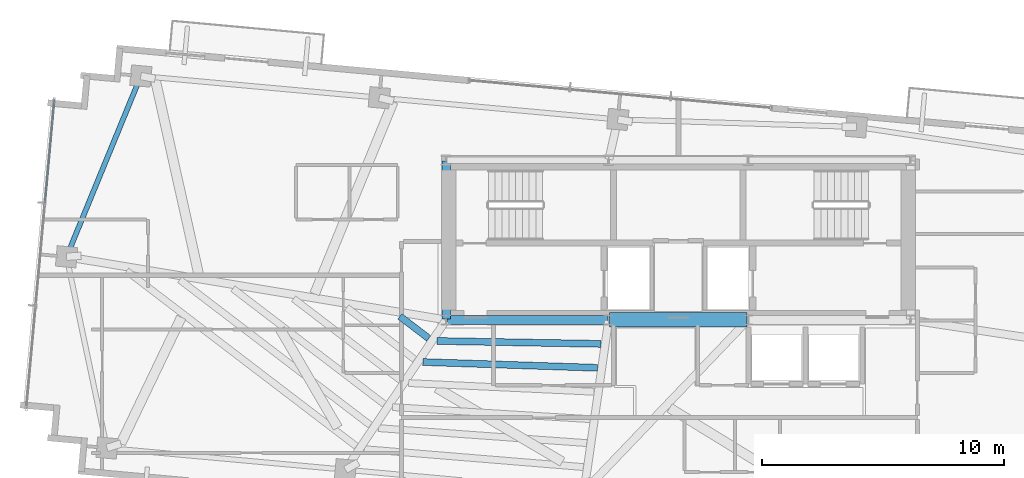
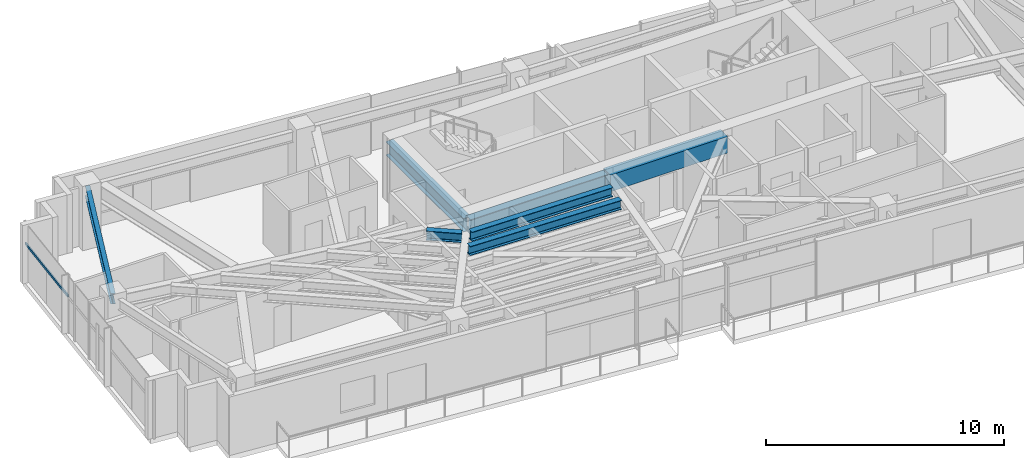
# One storey, part 8 of 22: 7 beams, 1 member, 1 element without a shape of its own.
"""IFC4 building model written with IfcOpenShell, lengths in metres."""

from ifc_helpers import new_model, si_unit, direction, frame, origin, origin_2d, place, context, subcontext, project, spatial, rectangle, hollow_rectangle, i_section, extrude, source, transform, mapped, material, material_profile, profile_set, type_object, type_shapes, element, aggregate, save


model = new_model("IFC4")

# Units and contexts
model_context = context("Model", 3, precision=1e-05, world=origin(), true_north=direction((0.0, 1.0)))
body_context = subcontext(model_context, "Body", "Model", "MODEL_VIEW")
ifc_project = project(units=[si_unit("LENGTHUNIT", "METRE"), si_unit("AREAUNIT", "SQUARE_METRE"), si_unit("VOLUMEUNIT", "CUBIC_METRE"), si_unit("PLANEANGLEUNIT", "RADIAN"), si_unit("MASSUNIT", "GRAM", prefix="KILO")], contexts=[model_context])

# Site, building, storey
site_placement = place(None, origin())
site = spatial("IfcSite", under=ifc_project, at=site_placement, CompositionType="ELEMENT")
building_placement = place(site_placement, origin())
building = spatial("IfcBuilding", under=site, at=building_placement, Name="Astriad Promenade Condominiums", CompositionType="ELEMENT")
storey_placement = place(building_placement, frame((0.0, 0.0, 256.199951171875)))
storey = spatial("IfcBuildingStorey", under=building, at=storey_placement, Name="L74", CompositionType="ELEMENT", Elevation=256.199951171875)

# Beams
ifc_material_1 = material(Name="Steel ASTM A992 Grade 50", Category="steel")
ifc_material_profile_1 = material_profile(ifc_material_1, i_section(OverallWidth=0.3837890625, OverallDepth=0.785888671875, WebThickness=0.019775390625, FlangeThickness=0.033447265625, FilletRadius=0.021484375, at=origin_2d()), Name="W30X211")
ifc_profile_set_1 = profile_set([ifc_material_profile_1], Name="Steel ASTM A992 Grade 50")
beam_type_1 = type_object("IfcBeamType", Name="STEEL FLOOR GIRDER W30X211", PredefinedType="BEAM", material=ifc_profile_set_1)
shared_shape_1 = source(origin(), body_context, "Body", "SweptSolid", [
    extrude(i_section(OverallWidth=0.3837890625, OverallDepth=0.785888671875, WebThickness=0.019775390625, FlangeThickness=0.033447265625, FilletRadius=0.021484375, at=origin_2d()), origin(), (0.0, 0.0, 1.0), 6.64013671875),
])
type_shapes(beam_type_1, [shared_shape_1])
beam_1_placement = place(storey_placement, frame((26.43994140625, 17.39990234375, 2.607177734375), z_axis=(1.0, 0.0, 0.0), x_axis=(0.0, 1.0, 0.0)))
element("IfcBeam", 1, at=beam_1_placement, inside=storey, type_object=beam_type_1, Name="Core Ring Beam CG-S1-L74", PredefinedType="BEAM", context=body_context, shape_type="MappedRepresentation", body=[
    mapped(shared_shape_1, transform((0.0, 0.0, 0.0), scale=1.0)),
])
ifc_material_profile_2 = material_profile(ifc_material_1, i_section(OverallWidth=0.35791015625, OverallDepth=0.706298828125, WebThickness=0.018310546875, FlangeThickness=0.0302734375, FilletRadius=0.020263671875, at=origin_2d()), Name="W27X178")
ifc_profile_set_2 = profile_set([ifc_material_profile_2], Name="Steel ASTM A992 Grade 50")
beam_type_2 = type_object("IfcBeamType", Name="STEEL FLOOR GIRDER W27X178", PredefinedType="BEAM", material=ifc_profile_set_2)
shared_shape_2 = source(origin(), body_context, "Body", "SweptSolid", [
    extrude(i_section(OverallWidth=0.35791015625, OverallDepth=0.706298828125, WebThickness=0.018310546875, FlangeThickness=0.0302734375, FilletRadius=0.020263671875, at=origin_2d()), origin(), (0.0, 0.0, 1.0), 6.52001953125),
])
type_shapes(beam_type_2, [shared_shape_2])
beam_2_placement = place(storey_placement, frame((26.39990234375, 17.43994140625, 2.646728515625), z_axis=(0.0, 1.0, 0.0), x_axis=(-1.0, 0.0, 0.0)))
element("IfcBeam", 2, at=beam_2_placement, inside=storey, type_object=beam_type_2, Name="Core Ring Beam CG-W1-L74", PredefinedType="BEAM", context=body_context, shape_type="MappedRepresentation", body=[
    mapped(shared_shape_2, transform((0.0, 0.0, 0.0), scale=1.0)),
])
ifc_material_2 = material(Name="Concrete C60/75", Category="concrete")
ifc_material_profile_3 = material_profile(ifc_material_2, rectangle(XDim=0.60009765625, YDim=0.85009765625, at=origin_2d()), Name="RC-BM-600X850")
ifc_profile_set_3 = profile_set([ifc_material_profile_3], Name="Concrete C60/75")
beam_type_3 = type_object("IfcBeamType", Name="CONCRETE CORE COUPLING LINTEL 600X850", PredefinedType="LINTEL", material=ifc_profile_set_3)
shared_shape_3 = source(origin(), body_context, "Body", "SweptSolid", [
    extrude(rectangle(XDim=0.60009765625, YDim=0.85009765625, at=origin_2d()), origin(), (0.0, 0.0, 1.0), 5.68017578125),
])
type_shapes(beam_type_3, [shared_shape_3])
beam_3_placement = place(storey_placement, frame((33.159912109375, 17.39990234375, 2.574951171875), z_axis=(1.0, 0.0, 0.0), x_axis=(0.0, 1.0, 0.0)))
element("IfcBeam", 3, at=beam_3_placement, inside=storey, type_object=beam_type_3, Name="Core Ring Beam CG-S2-L74", PredefinedType="LINTEL", context=body_context, shape_type="MappedRepresentation", body=[
    mapped(shared_shape_3, transform((0.0, 0.0, 0.0), scale=1.0)),
])
ifc_material_profile_4 = material_profile(ifc_material_1, i_section(OverallWidth=0.210693359375, OverallDepth=0.53955078125, WebThickness=0.01171875, FlangeThickness=0.018798828125, FilletRadius=0.0166015625, at=origin_2d()), Name="W21X73")
ifc_profile_set_4 = profile_set([ifc_material_profile_4], Name="Steel ASTM A992 Grade 50")
beam_type_4 = type_object("IfcBeamType", Name="STEEL SPANDREL BEAM W21X73", PredefinedType="SPANDREL", material=ifc_profile_set_4)
shared_shape_4 = source(origin(), body_context, "Body", "SweptSolid", [
    extrude(i_section(OverallWidth=0.210693359375, OverallDepth=0.53955078125, WebThickness=0.01171875, FlangeThickness=0.018798828125, FilletRadius=0.0166015625, at=origin_2d()), origin(), (0.0, 0.0, 1.0), 7.998779296875),
])
type_shapes(beam_type_4, [shared_shape_4])
beam_4_placement = place(storey_placement, frame((13.76611328125, 27.44580078125, 2.73046875), z_axis=(-0.38000513148, -0.924984378273, 0.0), x_axis=(0.924984378273, -0.38000513148, 0.0)))
element("IfcBeam", 4, at=beam_4_placement, inside=storey, type_object=beam_type_4, Name="Perimeter Spandrel Beam SP-W2-L74", PredefinedType="SPANDREL", context=body_context, shape_type="MappedRepresentation", body=[
    mapped(shared_shape_4, transform((0.0, 0.0, 0.0), scale=1.0)),
])
ifc_material_profile_5 = material_profile(ifc_material_1, i_section(OverallWidth=0.283203125, OverallDepth=0.47216796875, WebThickness=0.013671875, FlangeThickness=0.022216796875, FilletRadius=0.01513671875, at=origin_2d()), Name="W18X97")
ifc_profile_set_5 = profile_set([ifc_material_profile_5], Name="Steel ASTM A992 Grade 50")
beam_type_5 = type_object("IfcBeamType", Name="STEEL FLOOR JOIST W18X97", PredefinedType="JOIST", material=ifc_profile_set_5)
shared_shape_5 = source(origin(), body_context, "Body", "SweptSolid", [
    extrude(i_section(OverallWidth=0.283203125, OverallDepth=0.47216796875, WebThickness=0.013671875, FlangeThickness=0.022216796875, FilletRadius=0.01513671875, at=origin_2d()), origin(), (0.0, 0.0, 1.0), 1.497314453125),
])
beam_5_placement = place(storey_placement, frame((24.489501953125, 17.547119140625, 2.763916015625), z_axis=(0.79482500583, -0.606838701887, 0.0), x_axis=(0.606838701887, 0.79482500583, 0.0)))
element("IfcBeam", 5, at=beam_5_placement, inside=storey, type_object=beam_type_5, Name="Secondary Composite Floor Joist JW1-6-L74", PredefinedType="JOIST", context=body_context, shape_type="MappedRepresentation", body=[
    mapped(shared_shape_5, transform((0.0, 0.0, 0.0), scale=1.0)),
])
shared_shape_6 = source(origin(), body_context, "Body", "SweptSolid", [
    extrude(i_section(OverallWidth=0.283203125, OverallDepth=0.47216796875, WebThickness=0.013671875, FlangeThickness=0.022216796875, FilletRadius=0.01513671875, at=origin_2d()), origin(), (0.0, 0.0, 1.0), 7.226318359375),
])
beam_6_placement = place(storey_placement, frame((25.43798828125, 15.659912109375, 2.763916015625), z_axis=(0.999453981353, -0.033041476313, 0.0), x_axis=(0.033041476313, 0.999453981353, 0.0)))
element("IfcBeam", 6, at=beam_6_placement, inside=storey, type_object=beam_type_5, Name="Secondary Composite Floor Joist JCW-5-L74", PredefinedType="JOIST", context=body_context, shape_type="MappedRepresentation", body=[
    mapped(shared_shape_6, transform((0.0, 0.0, 0.0), scale=1.0)),
])
shared_shape_7 = source(origin(), body_context, "Body", "SweptSolid", [
    extrude(i_section(OverallWidth=0.283203125, OverallDepth=0.47216796875, WebThickness=0.013671875, FlangeThickness=0.022216796875, FilletRadius=0.01513671875, at=origin_2d()), origin(), (0.0, 0.0, 1.0), 6.781494140625),
])
type_shapes(beam_type_5, [shared_shape_5, shared_shape_6, shared_shape_7])
beam_7_placement = place(storey_placement, frame((26.022216796875, 16.52978515625, 2.763916015625), z_axis=(0.999845665325, -0.017568310398, 0.0), x_axis=(0.017568310398, 0.999845665325, 0.0)))
element("IfcBeam", 7, at=beam_7_placement, inside=storey, type_object=beam_type_5, Name="Secondary Composite Floor Joist JCW-6-L74", PredefinedType="JOIST", context=body_context, shape_type="MappedRepresentation", body=[
    mapped(shared_shape_7, transform((0.0, 0.0, 0.0), scale=1.0)),
])

# Curtain wall, member
ifc_material_3 = material(Name="Anodised aluminium Black Dark Glass Unitised", Category="aluminium")
curtain_wall_type = type_object("IfcCurtainWallType", Name="CW-B5-DARK", PredefinedType="USERDEFINED", material=ifc_material_3)
curtain_wall_placement = place(storey_placement, origin())
curtain_wall = element("IfcCurtainWall", 8, at=curtain_wall_placement, inside=storey, type_object=curtain_wall_type, Name="CW-L74-W", ObjectType="UNITISED_CURTAIN_WALL", PredefinedType="USERDEFINED")
ifc_material_4 = material(Name="Anodised aluminium 6063-T6 Black", Category="aluminium")
ifc_material_profile_6 = material_profile(ifc_material_4, hollow_rectangle(XDim=0.06494140625, YDim=0.1298828125, WallThickness=0.00390625, at=origin_2d()), Name="ALU-TRN-65X130")
ifc_profile_set_6 = profile_set([ifc_material_profile_6], Name="Anodised aluminium 6063-T6 Black")
member_type = type_object("IfcMemberType", Name="TRN-ALU-TRN-65X130", PredefinedType="USERDEFINED", material=ifc_profile_set_6)
shared_shape_8 = source(origin(), body_context, "Body", "SweptSolid", [
    extrude(hollow_rectangle(XDim=0.06494140625, YDim=0.1298828125, WallThickness=0.00390625, at=origin_2d()), origin(), (0.0, 0.0, 1.0), 4.2666015625),
])
type_shapes(member_type, [shared_shape_8])
member_placement = place(storey_placement, frame((9.819091796875, 22.233642578125, 1.860107421875), z_axis=(0.090638931954, 0.99588382054, 0.0), x_axis=(-0.99588382054, 0.090638931954, 0.0)))
member = element("IfcMember", 9, at=member_placement, type_object=member_type, Name="CW-L74-W-TRN-02-0", ObjectType="TRANSOM", PredefinedType="USERDEFINED", context=body_context, shape_type="MappedRepresentation", body=[
    mapped(shared_shape_8, transform((0.0, 0.0, 0.0), scale=1.0)),
])
aggregate(curtain_wall, [member])

save(model, "model.ifc")
